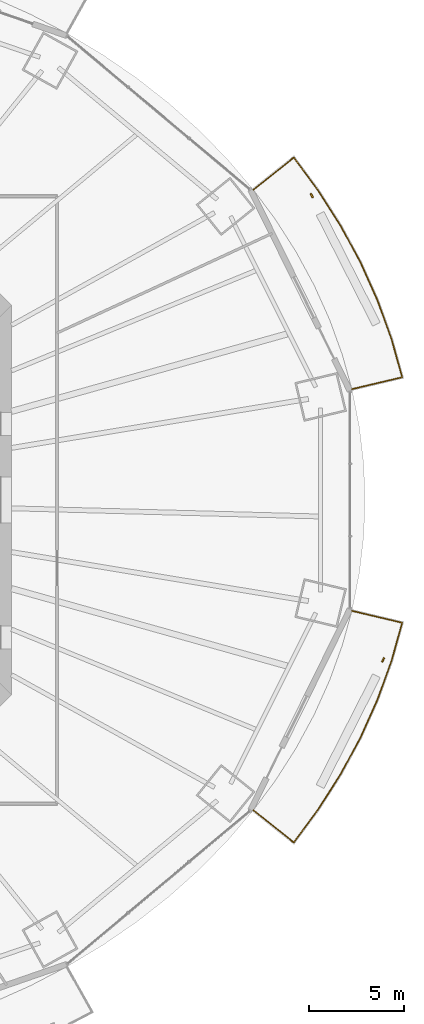
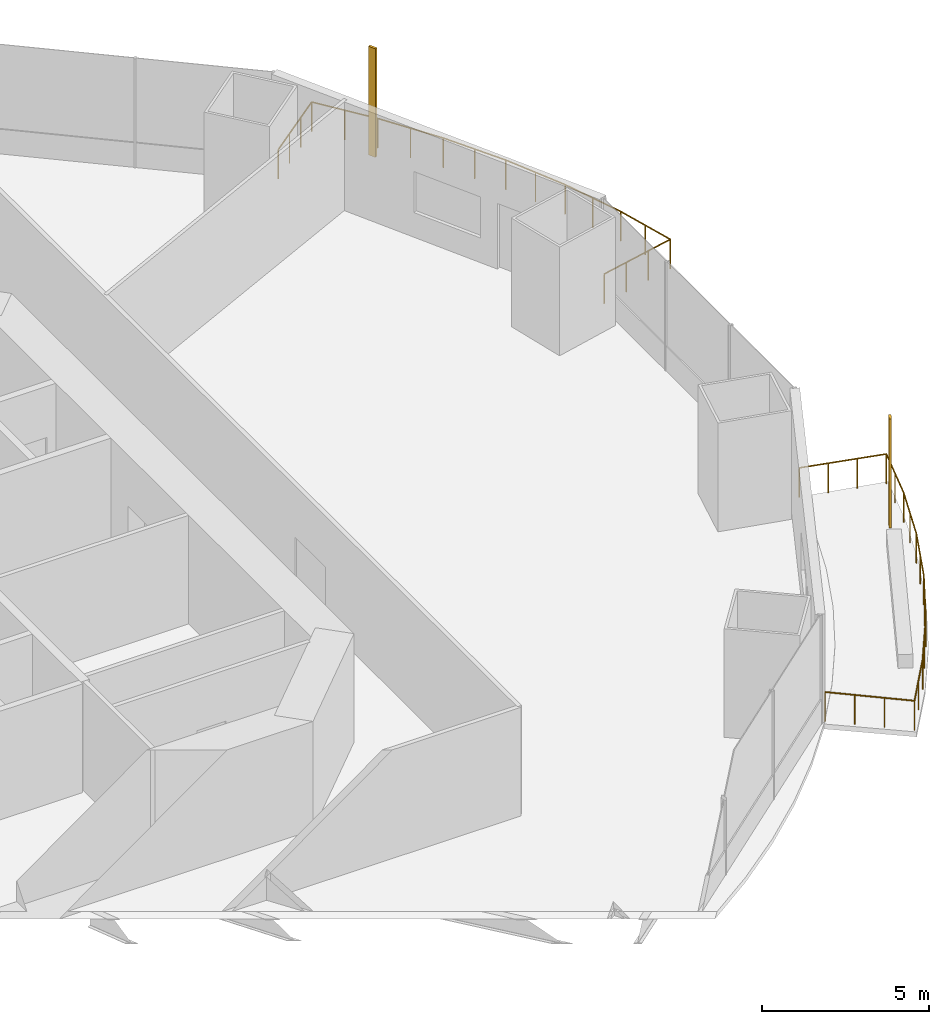
# One storey, part 21 of 22: 2 railings, 2 shading devices.
"""IFC4 building model written with IfcOpenShell, lengths in metres."""

from ifc_helpers import new_model, si_unit, direction, frame, origin, origin_2d, place, context, subcontext, project, spatial, rectangle, circle, extrude, material, material_profile, profile_set, type_object, element, save


model = new_model("IFC4")

# Units and contexts
model_context = context("Model", 3, precision=1e-05, world=origin(), true_north=direction((0.0, 1.0)))
body_context = subcontext(model_context, "Body", "Model", "MODEL_VIEW")
ifc_project = project(units=[si_unit("LENGTHUNIT", "METRE"), si_unit("AREAUNIT", "SQUARE_METRE"), si_unit("VOLUMEUNIT", "CUBIC_METRE"), si_unit("PLANEANGLEUNIT", "RADIAN"), si_unit("MASSUNIT", "GRAM", prefix="KILO")], contexts=[model_context])

# Site, building, storey
site_placement = place(None, origin())
site = spatial("IfcSite", under=ifc_project, at=site_placement, CompositionType="ELEMENT")
building_placement = place(site_placement, origin())
building = spatial("IfcBuilding", under=site, at=building_placement, Name="Marenthal Gate Tower", CompositionType="ELEMENT")
storey_placement = place(building_placement, frame((0.0, 0.0, 82.800048828125)))
storey = spatial("IfcBuildingStorey", under=building, at=storey_placement, Name="L16", CompositionType="ELEMENT", Elevation=82.800048828125)

# Railings
ifc_material_1 = material(Name="Stainless steel", Category="steel")
railing_type = type_object("IfcRailingType", Name="Balcony guard 1100", PredefinedType="GUARDRAIL", material=ifc_material_1)
railing_1_placement = place(storey_placement, frame((29.34326171875, 16.347900390625, 0.0)))
element("IfcRailing", 1, at=railing_1_placement, inside=storey, type_object=railing_type, Name="Balcony guard L16 bay 1", PredefinedType="GUARDRAIL", context=body_context, shape_type="SweptSolid", body=[
    extrude(circle(Radius=0.02392578125, at=origin_2d()), frame((0.0, 0.0, 1.076171875), z_axis=(0.782218085053, 0.62283082954, -0.014718192514), x_axis=(-0.622898300926, 0.782302822892, 0.0)), (0.0, 0.0, 1.0), 2.720458984375),
    extrude(circle(Radius=0.02392578125, at=origin_2d()), frame((2.1279296875, 1.6943359375, 1.0361328125), z_axis=(0.594617358606, -0.804008828835, 0.0), x_axis=(0.804008828835, 0.594617358606, 0.0)), (0.0, 0.0, 1.0), 2.153564453125),
    extrude(circle(Radius=0.02392578125, at=origin_2d()), frame((3.408447265625, -0.037109375, 1.0361328125), z_axis=(0.537495639062, -0.843266528442, 0.0), x_axis=(0.843266528442, 0.537495639062, 0.0)), (0.0, 0.0, 1.0), 2.215576171875),
    extrude(circle(Radius=0.02392578125, at=origin_2d()), frame((4.599365234375, -1.905517578125, 1.0361328125), z_axis=(0.475449699906, -0.879742907251, 0.0), x_axis=(0.879742907251, 0.475449699906, 0.0)), (0.0, 0.0, 1.0), 2.19921875),
    extrude(circle(Radius=0.02392578125, at=origin_2d()), frame((5.64501953125, -3.84033203125, 1.0361328125), z_axis=(0.409495490191, -0.912312141492, 0.0), x_axis=(0.912312141492, 0.409495490191, 0.0)), (0.0, 0.0, 1.0), 2.1845703125),
    extrude(circle(Radius=0.02392578125, at=origin_2d()), frame((6.53955078125, -5.833251953125, 1.0361328125), z_axis=(0.340172038454, -0.940363219322, 0.0), x_axis=(0.940363219322, 0.340172038454, 0.0)), (0.0, 0.0, 1.0), 2.171630859375),
    extrude(circle(Radius=0.02392578125, at=origin_2d()), frame((7.2783203125, -7.87548828125, 1.0361328125), z_axis=(0.269294922849, -0.963057757628, 0.0), x_axis=(0.963057757628, 0.269294922849, 0.0)), (0.0, 0.0, 1.0), 2.08154296875),
    extrude(circle(Radius=0.02392578125, at=origin_2d()), frame((7.8388671875, -9.880126953125, 1.0361328125), z_axis=(-0.972921871805, -0.230665056323, 0.014719482193), x_axis=(0.230690048693, -0.973027287096, 0.0)), (0.0, 0.0, 1.0), 2.72021484375),
    extrude(circle(Radius=0.02099609375, at=origin_2d()), origin(), (0.0, 0.0, 1.0), 1.052001953125),
    extrude(circle(Radius=0.02099609375, at=origin_2d()), frame((0.709228515625, 0.564697265625, -0.013427734375)), (0.0, 0.0, 1.0), 1.052001953125),
    extrude(circle(Radius=0.02099609375, at=origin_2d()), frame((1.418701171875, 1.129638671875, -0.026611328125)), (0.0, 0.0, 1.0), 1.052001953125),
    extrude(circle(Radius=0.02099609375, at=origin_2d()), frame((2.1279296875, 1.6943359375, -0.0400390625)), (0.0, 0.0, 1.0), 1.052001953125),
    extrude(circle(Radius=0.02099609375, at=origin_2d()), frame((2.76806640625, 0.82861328125, -0.0400390625)), (0.0, 0.0, 1.0), 1.052001953125),
    extrude(circle(Radius=0.02099609375, at=origin_2d()), frame((3.408447265625, -0.037109375, -0.0400390625)), (0.0, 0.0, 1.0), 1.052001953125),
    extrude(circle(Radius=0.02099609375, at=origin_2d()), frame((4.00390625, -0.97119140625, -0.0400390625)), (0.0, 0.0, 1.0), 1.052001953125),
    extrude(circle(Radius=0.02099609375, at=origin_2d()), frame((4.599365234375, -1.905517578125, -0.0400390625)), (0.0, 0.0, 1.0), 1.052001953125),
    extrude(circle(Radius=0.02099609375, at=origin_2d()), frame((5.1220703125, -2.873046875, -0.0400390625)), (0.0, 0.0, 1.0), 1.052001953125),
    extrude(circle(Radius=0.02099609375, at=origin_2d()), frame((5.64501953125, -3.84033203125, -0.0400390625)), (0.0, 0.0, 1.0), 1.052001953125),
    extrude(circle(Radius=0.02099609375, at=origin_2d()), frame((6.09228515625, -4.8369140625, -0.0400390625)), (0.0, 0.0, 1.0), 1.052001953125),
    extrude(circle(Radius=0.02099609375, at=origin_2d()), frame((6.53955078125, -5.833251953125, -0.0400390625)), (0.0, 0.0, 1.0), 1.052001953125),
    extrude(circle(Radius=0.02099609375, at=origin_2d()), frame((6.908935546875, -6.8544921875, -0.0400390625)), (0.0, 0.0, 1.0), 1.052001953125),
    extrude(circle(Radius=0.02099609375, at=origin_2d()), frame((7.2783203125, -7.87548828125, -0.0400390625)), (0.0, 0.0, 1.0), 1.052001953125),
    extrude(circle(Radius=0.02099609375, at=origin_2d()), frame((7.55859375, -8.8779296875, -0.0400390625)), (0.0, 0.0, 1.0), 1.052001953125),
    extrude(circle(Radius=0.02099609375, at=origin_2d()), frame((7.8388671875, -9.880126953125, -0.0400390625)), (0.0, 0.0, 1.0), 1.052001953125),
    extrude(circle(Radius=0.02099609375, at=origin_2d()), frame((6.956787109375, -10.08935546875, -0.026611328125)), (0.0, 0.0, 1.0), 1.052001953125),
    extrude(circle(Radius=0.02099609375, at=origin_2d()), frame((6.074462890625, -10.29833984375, -0.013427734375)), (0.0, 0.0, 1.0), 1.052001953125),
    extrude(circle(Radius=0.02099609375, at=origin_2d()), frame((5.1923828125, -10.507568359375, 0.0)), (0.0, 0.0, 1.0), 1.052001953125),
])
railing_2_placement = place(storey_placement, frame((34.53564453125, -5.84033203125, 0.0)))
element("IfcRailing", 2, at=railing_2_placement, inside=storey, type_object=railing_type, Name="Balcony guard L16 bay 15", PredefinedType="GUARDRAIL", context=body_context, shape_type="SweptSolid", body=[
    extrude(circle(Radius=0.02392578125, at=origin_2d()), frame((0.0, 0.0, 1.076171875), z_axis=(0.972921871805, -0.230665056323, -0.014719482193), x_axis=(0.230690048693, 0.973027287096, 0.0)), (0.0, 0.0, 1.0), 2.72021484375),
    extrude(circle(Radius=0.02392578125, at=origin_2d()), frame((2.646484375, -0.62744140625, 1.0361328125), z_axis=(-0.269294922849, -0.963057757628, 0.0), x_axis=(0.963057757628, -0.269294922849, 0.0)), (0.0, 0.0, 1.0), 2.08154296875),
    extrude(circle(Radius=0.02392578125, at=origin_2d()), frame((2.0859375, -2.632080078125, 1.0361328125), z_axis=(-0.340172038454, -0.940363219322, 0.0), x_axis=(0.940363219322, -0.340172038454, 0.0)), (0.0, 0.0, 1.0), 2.171630859375),
    extrude(circle(Radius=0.02392578125, at=origin_2d()), frame((1.34716796875, -4.67431640625, 1.0361328125), z_axis=(-0.409495490191, -0.912312141492, 0.0), x_axis=(0.912312141492, -0.409495490191, 0.0)), (0.0, 0.0, 1.0), 2.1845703125),
    extrude(circle(Radius=0.02392578125, at=origin_2d()), frame((0.45263671875, -6.667236328125, 1.0361328125), z_axis=(-0.475449699906, -0.879742907251, 0.0), x_axis=(0.879742907251, -0.475449699906, 0.0)), (0.0, 0.0, 1.0), 2.19921875),
    extrude(circle(Radius=0.02392578125, at=origin_2d()), frame((-0.593017578125, -8.60205078125, 1.0361328125), z_axis=(-0.537495639062, -0.843266528442, 0.0), x_axis=(0.843266528442, -0.537495639062, 0.0)), (0.0, 0.0, 1.0), 2.215576171875),
    extrude(circle(Radius=0.02392578125, at=origin_2d()), frame((-1.783935546875, -10.470458984375, 1.0361328125), z_axis=(-0.594617358606, -0.804008828835, 0.0), x_axis=(0.804008828835, -0.594617358606, 0.0)), (0.0, 0.0, 1.0), 2.153564453125),
    extrude(circle(Radius=0.02392578125, at=origin_2d()), frame((-3.064453125, -12.201904296875, 1.0361328125), z_axis=(-0.782218085053, 0.62283082954, 0.014718192514), x_axis=(-0.622898300926, -0.782302822892, 0.0)), (0.0, 0.0, 1.0), 2.720458984375),
    extrude(circle(Radius=0.02099609375, at=origin_2d()), origin(), (0.0, 0.0, 1.0), 1.052001953125),
    extrude(circle(Radius=0.02099609375, at=origin_2d()), frame((0.882080078125, -0.209228515625, -0.013427734375)), (0.0, 0.0, 1.0), 1.052001953125),
    extrude(circle(Radius=0.02099609375, at=origin_2d()), frame((1.764404296875, -0.418212890625, -0.026611328125)), (0.0, 0.0, 1.0), 1.052001953125),
    extrude(circle(Radius=0.02099609375, at=origin_2d()), frame((2.646484375, -0.62744140625, -0.0400390625)), (0.0, 0.0, 1.0), 1.052001953125),
    extrude(circle(Radius=0.02099609375, at=origin_2d()), frame((2.3662109375, -1.6298828125, -0.0400390625)), (0.0, 0.0, 1.0), 1.052001953125),
    extrude(circle(Radius=0.02099609375, at=origin_2d()), frame((2.0859375, -2.632080078125, -0.0400390625)), (0.0, 0.0, 1.0), 1.052001953125),
    extrude(circle(Radius=0.02099609375, at=origin_2d()), frame((1.716552734375, -3.6533203125, -0.0400390625)), (0.0, 0.0, 1.0), 1.052001953125),
    extrude(circle(Radius=0.02099609375, at=origin_2d()), frame((1.34716796875, -4.67431640625, -0.0400390625)), (0.0, 0.0, 1.0), 1.052001953125),
    extrude(circle(Radius=0.02099609375, at=origin_2d()), frame((0.89990234375, -5.6708984375, -0.0400390625)), (0.0, 0.0, 1.0), 1.052001953125),
    extrude(circle(Radius=0.02099609375, at=origin_2d()), frame((0.45263671875, -6.667236328125, -0.0400390625)), (0.0, 0.0, 1.0), 1.052001953125),
    extrude(circle(Radius=0.02099609375, at=origin_2d()), frame((-0.0703125, -7.634765625, -0.0400390625)), (0.0, 0.0, 1.0), 1.052001953125),
    extrude(circle(Radius=0.02099609375, at=origin_2d()), frame((-0.593017578125, -8.60205078125, -0.0400390625)), (0.0, 0.0, 1.0), 1.052001953125),
    extrude(circle(Radius=0.02099609375, at=origin_2d()), frame((-1.1884765625, -9.5361328125, -0.0400390625)), (0.0, 0.0, 1.0), 1.052001953125),
    extrude(circle(Radius=0.02099609375, at=origin_2d()), frame((-1.783935546875, -10.470458984375, -0.0400390625)), (0.0, 0.0, 1.0), 1.052001953125),
    extrude(circle(Radius=0.02099609375, at=origin_2d()), frame((-2.42431640625, -11.336181640625, -0.0400390625)), (0.0, 0.0, 1.0), 1.052001953125),
    extrude(circle(Radius=0.02099609375, at=origin_2d()), frame((-3.064453125, -12.201904296875, -0.0400390625)), (0.0, 0.0, 1.0), 1.052001953125),
    extrude(circle(Radius=0.02099609375, at=origin_2d()), frame((-3.773681640625, -11.63720703125, -0.026611328125)), (0.0, 0.0, 1.0), 1.052001953125),
    extrude(circle(Radius=0.02099609375, at=origin_2d()), frame((-4.483154296875, -11.072265625, -0.013427734375)), (0.0, 0.0, 1.0), 1.052001953125),
    extrude(circle(Radius=0.02099609375, at=origin_2d()), frame((-5.1923828125, -10.507568359375, 0.0)), (0.0, 0.0, 1.0), 1.052001953125),
])

# Shading devices
ifc_material_2 = material(Name="Terracotta", Category="masonry")
ifc_material_profile = material_profile(ifc_material_2, rectangle(XDim=0.25, YDim=0.080078125, at=origin_2d()), Name="Terracotta baguette 250x80")
ifc_profile_set = profile_set([ifc_material_profile], Name="Terracotta")
shading_device_type = type_object("IfcShadingDeviceType", Name="Terracotta BAGUETTE SCREEN 250x80", PredefinedType="USERDEFINED", material=ifc_profile_set)
for number, where, z_axis, x_axis, name in (
    (3, (32.4189453125, 16.041015625, -0.0400390625), (0.0, 0.0, 1.0), (-0.442860405886, 0.896590575959, 0.0), "Terracotta BAGUETTE L16 bay 1R"),
    (4, (36.182373046875, -8.421630859375, -0.0400390625), (0.0, 0.0, 1.0), (0.442860405886, 0.896590575959, 0.0), "Terracotta BAGUETTE L16 bay 15R"),
):
    element("IfcShadingDevice", number, at=place(storey_placement, frame(where, z_axis=z_axis, x_axis=x_axis)), inside=storey, type_object=shading_device_type, Name=name, ObjectType="BAGUETTE SCREEN", PredefinedType="USERDEFINED", context=body_context, shape_type="SweptSolid", body=[
        extrude(rectangle(XDim=0.25, YDim=0.080078125, at=origin_2d()), origin(), (0.0, 0.0, 1.0), 3.969970703125),
    ])

save(model, "model.ifc")
